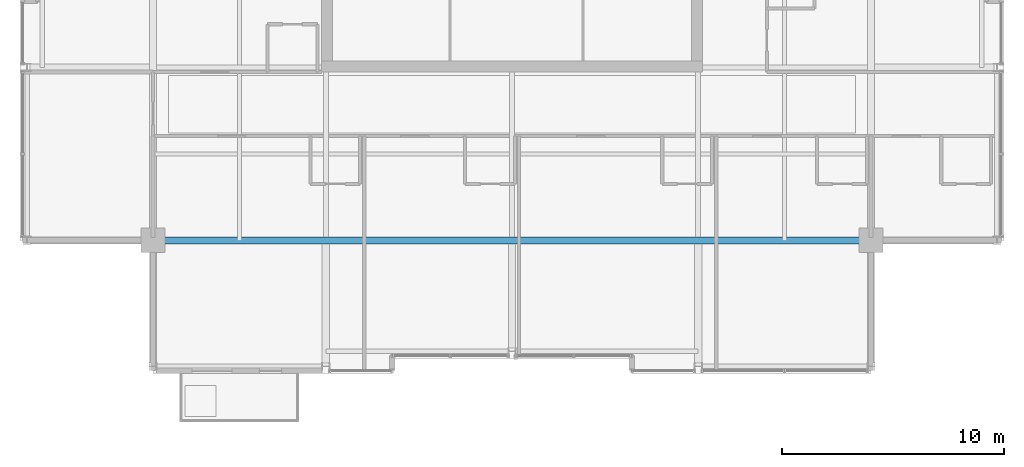
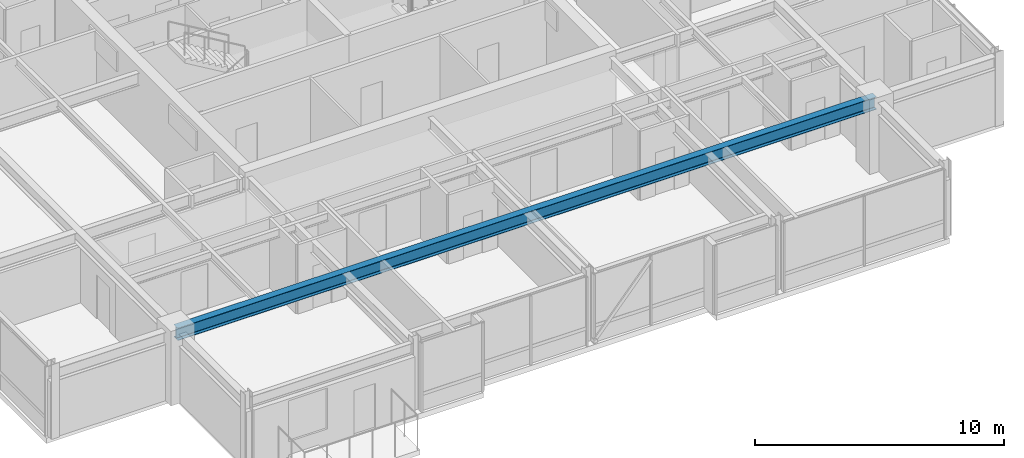
# One storey, part 8 of 34: 1 beam.
"""IFC4 building model written with IfcOpenShell, lengths in metres."""

import ifcopenshell
import ifcopenshell.guid

model = None  # the IFC model being written
_history = None  # IfcOwnerHistory: only IFC2X3 demands one
_inside = {}  # id of a spatial element -> (the spatial element, [elements in it])
_under = {}  # id of a project, library or spatial element -> (it, [spatial elements below it])
_declared = {}  # id of a project -> (the project, [libraries it declares])
_typed = {}  # id of a type object -> (the type object, [elements of that type])
_made_of = {}  # id of a material, layer set ... -> (it, [elements and type objects made of it])


def new_model(schema):
    """Start an empty IFC model of exactly this schema.

    Asked for "IFC4X3", IfcOpenShell would pick the latest addendum, in which some entities
    have other attributes; the version numbers below select the first issue.
    IFC2X3 requires an IfcOwnerHistory on every rooted entity: one is made here for all.
    """
    global model, _history
    if schema == "IFC4X3":
        model = ifcopenshell.file(schema_version=(4, 3, 0, 0))
    else:
        model = ifcopenshell.file(schema=schema)
    _inside.clear()
    _under.clear()
    _declared.clear()
    _typed.clear()
    _made_of.clear()
    _history = None
    if model.schema == "IFC2X3":
        org = make("IfcOrganization", Name="unknown")
        user = make(
            "IfcPersonAndOrganization",
            ThePerson=make("IfcPerson", FamilyName="unknown"),
            TheOrganization=org,
        )
        app = make(
            "IfcApplication",
            ApplicationDeveloper=org,
            Version="unknown",
            ApplicationFullName="unknown",
            ApplicationIdentifier="unknown",
        )
        _history = make(
            "IfcOwnerHistory",
            OwningUser=user,
            OwningApplication=app,
            ChangeAction="ADDED",
            CreationDate=0,
        )
    return model


def make(cls, **values):
    """One entity of the class cls with the attributes given. An attribute that is None is left unset."""
    return model.create_entity(
        cls, **{name: value for name, value in values.items() if value is not None}
    )


def rooted(cls, **values):
    """An entity with a GlobalId (a new one), such as an element, a storey or a relation."""
    return make(cls, GlobalId=ifcopenshell.guid.new(), OwnerHistory=_history, **values)


def si_unit(unit_type, name, prefix=None):
    """IfcSIUnit, for example si_unit("LENGTHUNIT", "METRE", prefix="MILLI")."""
    return make("IfcSIUnit", UnitType=unit_type, Prefix=prefix, Name=name)


def assignment(units):
    """IfcUnitAssignment: the units of a project."""
    return None if units is None else make("IfcUnitAssignment", Units=units)


def point(xyz):
    """IfcCartesianPoint."""
    return None if xyz is None else make("IfcCartesianPoint", Coordinates=xyz)


def direction(xyz):
    """IfcDirection."""
    return None if xyz is None else make("IfcDirection", DirectionRatios=xyz)


def frame(location, z_axis=None, x_axis=None):
    """IfcAxis2Placement3D, a coordinate frame: its origin and axes. An axis left out is left unset."""
    return make(
        "IfcAxis2Placement3D",
        Location=point(location),
        Axis=direction(z_axis),
        RefDirection=direction(x_axis),
    )


def frame_2d(location, x_axis=None):
    """IfcAxis2Placement2D, a coordinate frame in the plane: its origin and x axis."""
    return make(
        "IfcAxis2Placement2D", Location=point(location), RefDirection=direction(x_axis)
    )


def origin():
    """The frame at (0, 0, 0) with its axes left unset."""
    return frame((0.0, 0.0, 0.0))


def origin_2d():
    """The frame at (0, 0) in the plane with its x axis left unset."""
    return frame_2d((0.0, 0.0))


def place(relative_to, where):
    """IfcLocalPlacement: puts the frame where relative to a parent placement (None: the world)."""
    return make(
        "IfcLocalPlacement", PlacementRelTo=relative_to, RelativePlacement=where
    )


def context(
    kind, dimensions, precision=None, world=None, true_north=None, identifier=None
):
    """IfcGeometricRepresentationContext, for example the 3D "Model" context."""
    return make(
        "IfcGeometricRepresentationContext",
        ContextIdentifier=identifier,
        ContextType=kind,
        CoordinateSpaceDimension=dimensions,
        Precision=precision,
        WorldCoordinateSystem=world,
        TrueNorth=true_north,
    )


def subcontext(parent, identifier, kind, view, scale=None):
    """IfcGeometricRepresentationSubContext, for example "Body" below "Model"."""
    return make(
        "IfcGeometricRepresentationSubContext",
        ContextIdentifier=identifier,
        ContextType=kind,
        ParentContext=parent,
        TargetScale=scale,
        TargetView=view,
    )


def project(units=None, contexts=None):
    """IfcProject with its units and contexts."""
    return rooted(
        "IfcProject",
        Name="project",
        RepresentationContexts=contexts,
        UnitsInContext=assignment(units),
    )


def spatial(cls, under=None, at=None, **own):
    """A site, building, storey or space (cls), placed at a placement, below another one or the project."""
    s = rooted(cls, ObjectPlacement=at, **own)
    if under is not None:
        _under.setdefault(under.id(), (under, []))[1].append(s)
    return s


def profile(cls, at=None, kind="AREA", **sizes):
    """A parametric profile (cls). Its sizes go by their IFC names, for example OverallWidth=200.0."""
    return make(cls, ProfileType=kind, Position=at, **sizes)


def i_section(**sizes):
    """IfcIShapeProfileDef."""
    return profile("IfcIShapeProfileDef", **sizes)


def extrude(swept, where, along, depth):
    """IfcExtrudedAreaSolid: the profile swept, set in the frame where, extruded along a direction by depth."""
    return make(
        "IfcExtrudedAreaSolid",
        SweptArea=swept,
        Position=where,
        ExtrudedDirection=direction(along),
        Depth=depth,
    )


def shape(context_of_items, identifier, shape_type, items):
    """IfcShapeRepresentation: the items that make up one representation, for example the "Body"."""
    return make(
        "IfcShapeRepresentation",
        ContextOfItems=context_of_items,
        RepresentationIdentifier=identifier,
        RepresentationType=shape_type,
        Items=items,
    )


def material(Name=None, Category=None):
    """IfcMaterial."""
    return make("IfcMaterial", Name=Name, Category=Category)


def material_profile(
    of_material, cross_section, Name=None, Category=None, Priority=None
):
    """IfcMaterialProfile: a cross section and its material."""
    return make(
        "IfcMaterialProfile",
        Name=Name,
        Material=of_material,
        Profile=cross_section,
        Priority=Priority,
        Category=Category,
    )


def profile_set(profiles, Name=None, composite=None):
    """IfcMaterialProfileSet."""
    return make(
        "IfcMaterialProfileSet",
        Name=Name,
        MaterialProfiles=profiles,
        CompositeProfile=composite,
    )


def made_of(thing, what):
    """Note that an element or type object is made of a material, layer set ...; save() writes the relation."""
    if what is not None:
        _made_of.setdefault(what.id(), (what, []))[1].append(thing)
    return thing


def type_object(cls, material=None, **own):
    """A type object (cls), such as IfcWallType, which elements share."""
    return made_of(rooted(cls, **own), material)


def element(
    cls,
    number,
    at=None,
    inside=None,
    cuts=None,
    type_object=None,
    material=None,
    context=None,
    identifier="Body",
    shape_type=None,
    held_by="IfcProductDefinitionShape",
    body=None,
    shapes=None,
    **own,
):
    """One element of the class cls, such as IfcWall. Its Tag is "e" and its number.

    at: its placement. inside: the storey or other place that contains it. cuts: it is an
    opening in that element (IfcRelVoidsElement). A single representation is given by context,
    identifier, shape_type and body (its items); several are given by shapes. held_by: the class
    of the entity that holds the representations. save() writes the other relations.
    """
    e = rooted(cls, Tag="e%d" % number, ObjectPlacement=at, **own)
    if body is not None:
        shapes = [shape(context, identifier, shape_type, body)]
    if shapes is not None:
        e.Representation = make(held_by, Representations=shapes)
    if inside is not None:
        _inside.setdefault(inside.id(), (inside, []))[1].append(e)
    if cuts is not None:
        rooted(
            "IfcRelVoidsElement", RelatingBuildingElement=cuts, RelatedOpeningElement=e
        )
    if type_object is not None:
        _typed.setdefault(type_object.id(), (type_object, []))[1].append(e)
    return made_of(e, material)


def aggregate(whole, parts):
    """IfcRelAggregates: a whole, such as a stair, and the parts it consists of."""
    return rooted("IfcRelAggregates", RelatingObject=whole, RelatedObjects=parts)


def save(model, path):
    """Write the relations noted so far, then the file.

    IfcRelAggregates (storeys below a building ...), IfcRelContainedInSpatialStructure (elements
    in a storey), IfcRelDefinesByType, IfcRelAssociatesMaterial and IfcRelDeclares: one each for
    every whole, place, type object, material and project.
    """
    for whole, parts in _under.values():
        aggregate(whole, parts)
    for where, things in _inside.values():
        rooted(
            "IfcRelContainedInSpatialStructure",
            RelatedElements=things,
            RelatingStructure=where,
        )
    for kind, things in _typed.values():
        rooted("IfcRelDefinesByType", RelatedObjects=things, RelatingType=kind)
    for what, things in _made_of.values():
        rooted("IfcRelAssociatesMaterial", RelatedObjects=things, RelatingMaterial=what)
    for by, libraries in _declared.values():
        rooted("IfcRelDeclares", RelatingContext=by, RelatedDefinitions=libraries)
    model.write(path)


model = new_model("IFC4")

# Units and contexts
model_context = context("Model", 3, precision=1e-05, world=origin(), true_north=direction((0.0, 1.0)))
body_context = subcontext(model_context, "Body", "Model", "MODEL_VIEW")
ifc_project = project(units=[si_unit("LENGTHUNIT", "METRE"), si_unit("AREAUNIT", "SQUARE_METRE"), si_unit("VOLUMEUNIT", "CUBIC_METRE"), si_unit("PLANEANGLEUNIT", "RADIAN"), si_unit("MASSUNIT", "GRAM", prefix="KILO")], contexts=[model_context])

# Site, building, storey
site_placement = place(None, origin())
site = spatial("IfcSite", under=ifc_project, at=site_placement, CompositionType="ELEMENT")
building_placement = place(site_placement, origin())
building = spatial("IfcBuilding", under=site, at=building_placement, Name="Drelvath Grand Hotel", CompositionType="ELEMENT")
storey_placement = place(building_placement, frame((0.0, 0.0, 286.89990234375)))
storey = spatial("IfcBuildingStorey", under=building, at=storey_placement, Name="L75", CompositionType="ELEMENT", Elevation=286.89990234375)

# Beam
ifc_material = material(Name="Steel ASTM A992 Gr 50", Category="steel")
ifc_material_profile = material_profile(ifc_material, i_section(OverallWidth=0.323974609375, OverallDepth=0.611083984375, WebThickness=0.0126953125, FlangeThickness=0.01904296875, FilletRadius=0.02197265625, at=origin_2d()), Name="W24X104")
ifc_profile_set = profile_set([ifc_material_profile], Name="Steel ASTM A992 Gr 50")
beam_type = type_object("IfcBeamType", Name="Primary Floor Girder W24X104", PredefinedType="BEAM", material=ifc_profile_set)
beam_placement = place(storey_placement, frame((-16.199951171875, 10.800048828125, 3.084716796875), z_axis=(1.0, 0.0, 0.0), x_axis=(0.0, 1.0, 0.0)))
element("IfcBeam", 1, at=beam_placement, inside=storey, type_object=beam_type, Name="L75 Mega Ring Girder South", PredefinedType="BEAM", context=body_context, shape_type="SweptSolid", body=[
    extrude(i_section(OverallWidth=0.323974609375, OverallDepth=0.611083984375, WebThickness=0.0126953125, FlangeThickness=0.01904296875, FilletRadius=0.02197265625, at=origin_2d()), origin(), (0.0, 0.0, 1.0), 32.39990234375),
])

save(model, "model.ifc")
